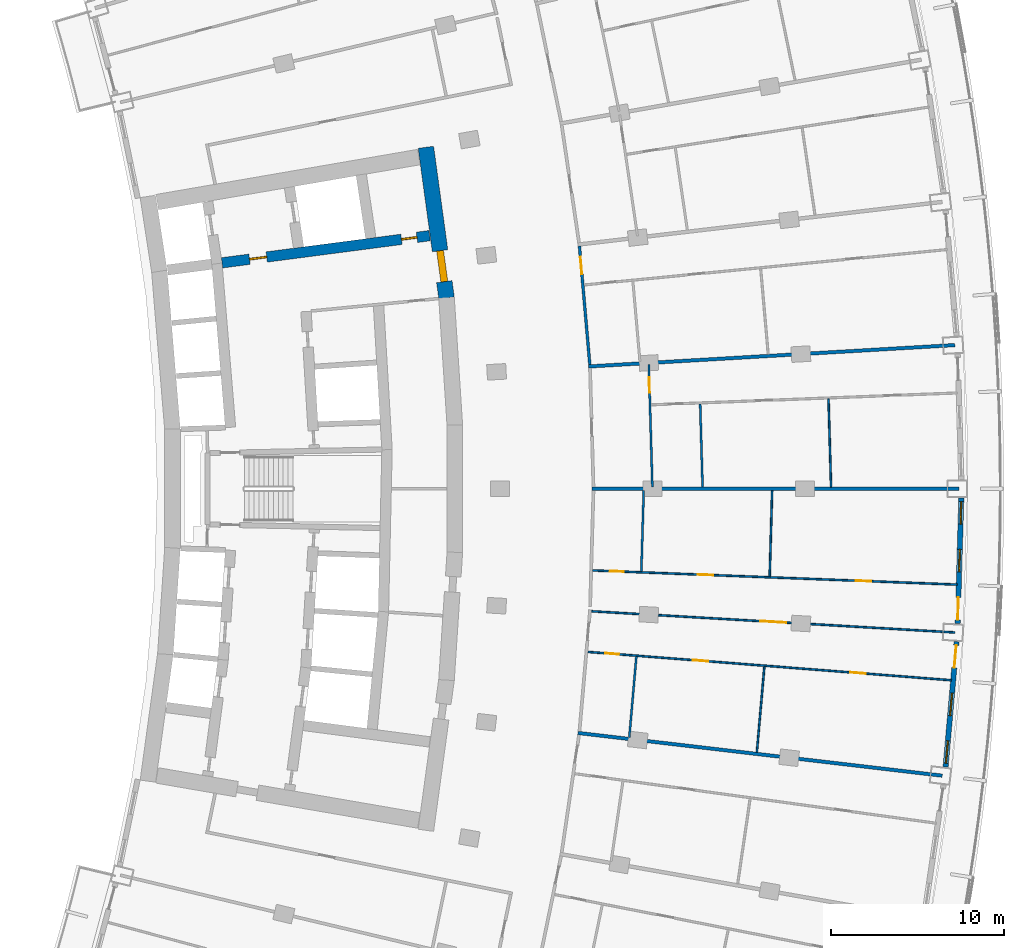
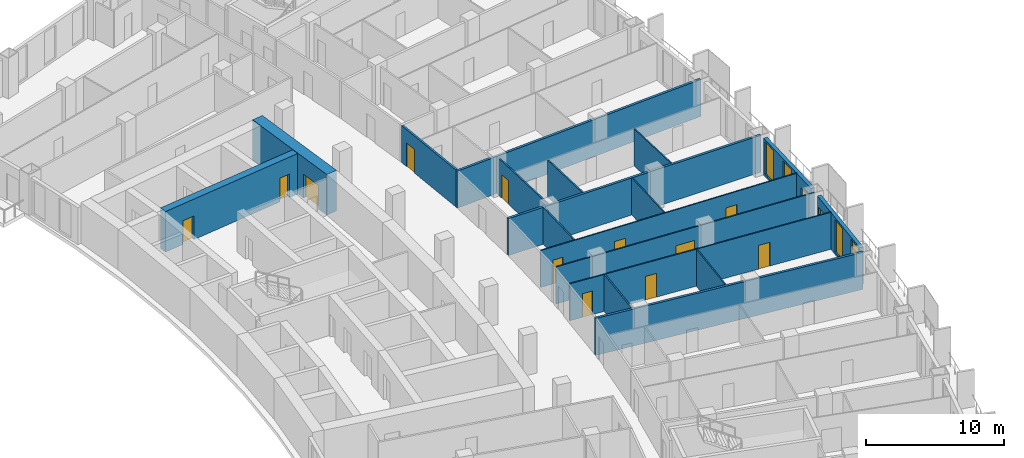
# One storey, part 17 of 25: 18 walls, 14 doors, 4 windows, 18 openings.
"""IFC4 building model written with IfcOpenShell, lengths in metres."""

from ifc_helpers import new_model, si_unit, direction, frame, frame_2d, origin, place, context, subcontext, project, spatial, rectangle, extrude, material, layer, layer_set, type_object, element, fill, save


model = new_model("IFC4")

# Units and contexts
model_context = context("Model", 3, precision=1e-05, world=origin(), true_north=direction((0.0, 1.0)))
body_context = subcontext(model_context, "Body", "Model", "MODEL_VIEW")
ifc_project = project(units=[si_unit("LENGTHUNIT", "METRE"), si_unit("AREAUNIT", "SQUARE_METRE"), si_unit("VOLUMEUNIT", "CUBIC_METRE"), si_unit("PLANEANGLEUNIT", "RADIAN"), si_unit("MASSUNIT", "GRAM", prefix="KILO")], contexts=[model_context])

# Site, building, storey
site_placement = place(None, origin())
site = spatial("IfcSite", under=ifc_project, at=site_placement, CompositionType="ELEMENT")
building_placement = place(site_placement, origin())
building = spatial("IfcBuilding", under=site, at=building_placement, Name="Alderwake Tower", CompositionType="ELEMENT")
storey_placement = place(building_placement, frame((0.0, 0.0, 68.0)))
storey = spatial("IfcBuildingStorey", under=building, at=storey_placement, Name="L16", CompositionType="ELEMENT", Elevation=68.0)

# Wall, opening, door
ifc_material_1 = material(Name="Concrete C70/85", Category="concrete")
ifc_layer_1 = layer(ifc_material_1, 0.89990234375)
ifc_layer_set_1 = layer_set([ifc_layer_1], Name="Core wall outer 900 C70-85")
wall_type_1 = type_object("IfcWallType", Name="Core wall outer 900 C70-85", PredefinedType="SHEAR", material=ifc_layer_set_1)
wall_1_placement = place(storey_placement, frame((31.520263671875, 80.7177734375, 0.0), z_axis=(0.0, 0.0, 1.0), x_axis=(0.135844728876, -0.990730139663, 0.0)))
wall_1 = element("IfcWall", 1, at=wall_1_placement, inside=storey, type_object=wall_type_1, Name="Core wall CW.009", PredefinedType="SHEAR", context=body_context, shape_type="SweptSolid", body=[
    extrude(rectangle(XDim=8.78662109375, YDim=0.89990234375, at=frame_2d((4.393310546875, 0.0))), origin(), (0.0, 0.0, 1.0), 3.60009765625),
])
opening_1_placement = place(wall_1_placement, frame((6.02978515625, 0.0, 0.0)))
opening_1 = element("IfcOpeningElement", 2, at=opening_1_placement, cuts=wall_1, Name="Opening C001", PredefinedType="OPENING", context=body_context, shape_type="SweptSolid", body=[
    extrude(rectangle(XDim=1.800048828125, YDim=2.10009765625, at=frame_2d((0.89990234375, 1.050048828125))), frame((0.0, 0.4599609375, 0.0), z_axis=(0.0, -1.0, 0.0), x_axis=(1.0, 0.0, 0.0)), (0.0, 0.0, 1.0), 0.919921875),
])
ifc_material_2 = material(Name="Steel-framed fire door leaves", Category="steel")
door_type_1 = type_object("IfcDoorType", Name="Core double door 1800 fire-rated", OperationType="DOUBLE_DOOR_SINGLE_SWING", PredefinedType="DOOR", material=ifc_material_2)
door_1_placement = place(opening_1_placement, origin())
door_1 = element("IfcDoor", 3, at=door_1_placement, inside=storey, type_object=door_type_1, Name="Lobby double door", OperationType="DOUBLE_DOOR_SINGLE_SWING", OverallHeight=2.10009765625, OverallWidth=1.800048828125, PredefinedType="DOOR", context=body_context, shape_type="SweptSolid", body=[
    extrude(rectangle(XDim=1.800048828125, YDim=2.10009765625, at=frame_2d((0.89990234375, 1.050048828125))), frame((0.0, 0.199951171875, 0.0), z_axis=(0.0, -1.0, 0.0), x_axis=(1.0, 0.0, 0.0)), (0.0, 0.0, 1.0), 0.39990234375),
])
fill(opening_1, door_1)

# Wall, openings, doors
ifc_material_3 = material(Name="Concrete C70/85", Category="concrete")
ifc_layer_2 = layer(ifc_material_3, 0.60009765625)
ifc_layer_set_2 = layer_set([ifc_layer_2], Name="Core wall spine 600 C70-85")
wall_type_2 = type_object("IfcWallType", Name="Core wall spine 600 C70-85", PredefinedType="SHEAR", material=ifc_layer_set_2)
wall_2_placement = place(storey_placement, frame((31.735595703125, 75.6142578125, 0.0), z_axis=(0.0, 0.0, 1.0), x_axis=(-0.991553829991, -0.129695806526, 0.0)))
wall_2 = element("IfcWall", 4, at=wall_2_placement, inside=storey, type_object=wall_type_2, Name="Core wall CW.052", PredefinedType="SHEAR", context=body_context, shape_type="SweptSolid", body=[
    extrude(rectangle(XDim=12.0869140625, YDim=0.60009765625, at=frame_2d((6.04345703125, 0.0))), origin(), (0.0, 0.0, 1.0), 3.60009765625),
])
opening_2_placement = place(wall_2_placement, frame((9.4873046875, 0.0, 0.0)))
opening_2 = element("IfcOpeningElement", 5, at=opening_2_placement, cuts=wall_2, Name="Opening C002", PredefinedType="OPENING", context=body_context, shape_type="SweptSolid", body=[
    extrude(rectangle(XDim=1.0, YDim=2.10009765625, at=frame_2d((0.5, 1.050048828125))), frame((0.0, 0.31005859375, 0.0), z_axis=(0.0, -1.0, 0.0), x_axis=(1.0, 0.0, 0.0)), (0.0, 0.0, 1.0), 0.6201171875),
])
opening_3_placement = place(wall_2_placement, frame((0.7373046875, 0.0, 0.0)))
opening_3 = element("IfcOpeningElement", 6, at=opening_3_placement, cuts=wall_2, Name="Opening C020", PredefinedType="OPENING", context=body_context, shape_type="SweptSolid", body=[
    extrude(rectangle(XDim=0.89990234375, YDim=2.10009765625, at=frame_2d((0.449951171875, 1.050048828125))), frame((0.0, 0.31005859375, 0.0), z_axis=(0.0, -1.0, 0.0), x_axis=(1.0, 0.0, 0.0)), (0.0, 0.0, 1.0), 0.6201171875),
])
ifc_material_4 = material(Name="Painted steel leaf", Category="steel")
door_type_2 = type_object("IfcDoorType", Name="Core room door 900", OperationType="SINGLE_SWING_LEFT", PredefinedType="DOOR", material=ifc_material_4)
door_2_placement = place(opening_3_placement, origin())
door_2 = element("IfcDoor", 7, at=door_2_placement, inside=storey, type_object=door_type_2, Name="Room door", OperationType="SINGLE_SWING_LEFT", OverallHeight=2.10009765625, OverallWidth=0.89990234375, PredefinedType="DOOR", context=body_context, shape_type="SweptSolid", body=[
    extrude(rectangle(XDim=0.89990234375, YDim=2.10009765625, at=frame_2d((0.449951171875, 1.050048828125))), frame((0.0, 0.050048828125, 0.0), z_axis=(0.0, -1.0, 0.0), x_axis=(1.0, 0.0, 0.0)), (0.0, 0.0, 1.0), 0.10009765625),
])
fill(opening_3, door_2)
ifc_material_5 = material(Name="Steel-framed fire door leaf", Category="steel")
door_type_3 = type_object("IfcDoorType", Name="Firefighting lobby door 1000 fire-rated", OperationType="SINGLE_SWING_LEFT", PredefinedType="DOOR", material=ifc_material_5)
door_3_placement = place(opening_2_placement, origin())
door_3 = element("IfcDoor", 8, at=door_3_placement, inside=storey, type_object=door_type_3, Name="Firefighting lobby door", OperationType="SINGLE_SWING_RIGHT", OverallHeight=2.10009765625, OverallWidth=1.0, PredefinedType="DOOR", context=body_context, shape_type="SweptSolid", body=[
    extrude(rectangle(XDim=1.0, YDim=2.10009765625, at=frame_2d((0.5, 1.050048828125))), frame((0.0, 0.050048828125, 0.0), z_axis=(0.0, -1.0, 0.0), x_axis=(1.0, 0.0, 0.0)), (0.0, 0.0, 1.0), 0.10009765625),
])
fill(opening_2, door_3)

# Wall, opening, door
ifc_material_6 = material(Name="Gypsum board on metal studs, rated")
ifc_layer_3 = layer(ifc_material_6, 0.159912109375)
ifc_layer_set_3 = layer_set([ifc_layer_3], Name="Corridor wall 160")
wall_type_3 = type_object("IfcWallType", Name="Corridor wall 160", PredefinedType="PARTITIONING", material=ifc_layer_set_3)
wall_3_placement = place(storey_placement, frame((40.3857421875, 75.00830078125, 0.0), z_axis=(0.0, 0.0, 1.0), x_axis=(0.087448731147, -0.996169021512, 0.0)))
wall_3 = element("IfcWall", 9, at=wall_3_placement, inside=storey, type_object=wall_type_3, Name="WL/L16/W41", PredefinedType="PARTITIONING", context=body_context, shape_type="SweptSolid", body=[
    extrude(rectangle(XDim=6.867919921875, YDim=0.159912109375, at=frame_2d((3.43408203125, 0.0))), origin(), (0.0, 0.0, 1.0), 3.280029296875),
])
opening_4_placement = place(wall_3_placement, frame((0.628173828125, 0.0, 0.0)))
opening_4 = element("IfcOpeningElement", 10, at=opening_4_placement, cuts=wall_3, Name="Opening R04-U09.2", PredefinedType="OPENING", context=body_context, shape_type="SweptSolid", body=[
    extrude(rectangle(XDim=1.0, YDim=2.10009765625, at=frame_2d((0.5, 1.050048828125))), frame((0.0, 0.08984375, 0.0), z_axis=(0.0, -1.0, 0.0), x_axis=(1.0, 0.0, 0.0)), (0.0, 0.0, 1.0), 0.179931640625),
])
ifc_material_7 = material(Name="Solid timber leaf in steel frame", Category="steel")
door_type_4 = type_object("IfcDoorType", Name="Flat entrance door 1000 fire-rated", OperationType="SINGLE_SWING_LEFT", PredefinedType="DOOR", material=ifc_material_7)
door_4_placement = place(opening_4_placement, origin())
door_4 = element("IfcDoor", 11, at=door_4_placement, inside=storey, type_object=door_type_4, Name="DR/L16/U09.2", OperationType="SINGLE_SWING_LEFT", OverallHeight=2.10009765625, OverallWidth=1.0, PredefinedType="DOOR", context=body_context, shape_type="SweptSolid", body=[
    extrude(rectangle(XDim=1.0, YDim=2.10009765625, at=frame_2d((0.5, 1.050048828125))), frame((0.0, 0.02490234375, 0.0), z_axis=(0.0, -1.0, 0.0), x_axis=(1.0, 0.0, 0.0)), (0.0, 0.0, 1.0), 0.050048828125),
])
fill(opening_4, door_4)

# Wall, openings, door, windows
ifc_material_8 = material(Name="Precast concrete C50/60 spandrel panel", Category="concrete")
ifc_layer_4 = layer(ifc_material_8, 0.300048828125)
ifc_layer_set_4 = layer_set([ifc_layer_4], Name="External wall EW1 Precast concrete C50/60 spandrel")
wall_type_4 = type_object("IfcWallType", Name="External wall EW1 Precast concrete C50/60 spandrel", PredefinedType="SOLIDWALL", material=ifc_layer_set_4)
wall_4_placement = place(storey_placement, frame((61.527587890625, 44.941162109375, 0.0), z_axis=(0.0, 0.0, 1.0), x_axis=(0.087375550333, 0.996175442984, 0.0)))
wall_4 = element("IfcWall", 12, at=wall_4_placement, inside=storey, type_object=wall_type_4, Name="External wall 15", PredefinedType="SOLIDWALL", context=body_context, shape_type="SweptSolid", body=[
    extrude(rectangle(XDim=7.25927734375, YDim=0.300048828125, at=frame_2d((3.629638671875, 0.0))), origin(), (0.0, 0.0, 1.0), 3.280029296875),
])
opening_5_placement = place(wall_4_placement, frame((0.215087890625, 0.0, 0.199951171875)))
opening_5 = element("IfcOpeningElement", 13, at=opening_5_placement, cuts=wall_4, Name="Opening W1", PredefinedType="OPENING", context=body_context, shape_type="SweptSolid", body=[
    extrude(rectangle(XDim=1.300048828125, YDim=2.89990234375, at=frame_2d((0.64990234375, 1.449951171875))), frame((0.0, 0.159912109375, 0.0), z_axis=(0.0, -1.0, 0.0), x_axis=(1.0, 0.0, 0.0)), (0.0, 0.0, 1.0), 0.320068359375),
])
opening_6_placement = place(wall_4_placement, frame((2.9794921875, 0.0, 0.199951171875)))
opening_6 = element("IfcOpeningElement", 14, at=opening_6_placement, cuts=wall_4, Name="Opening W1", PredefinedType="OPENING", context=body_context, shape_type="SweptSolid", body=[
    extrude(rectangle(XDim=1.300048828125, YDim=2.89990234375, at=frame_2d((0.64990234375, 1.449951171875))), frame((0.0, 0.159912109375, 0.0), z_axis=(0.0, -1.0, 0.0), x_axis=(1.0, 0.0, 0.0)), (0.0, 0.0, 1.0), 0.320068359375),
])
opening_7_placement = place(wall_4_placement, frame((5.744140625, 0.0, 0.0)))
opening_7 = element("IfcOpeningElement", 15, at=opening_7_placement, cuts=wall_4, Name="Opening D06", PredefinedType="OPENING", context=body_context, shape_type="SweptSolid", body=[
    extrude(rectangle(XDim=1.300048828125, YDim=2.39990234375, at=frame_2d((0.64990234375, 1.199951171875))), frame((0.0, 0.159912109375, 0.0), z_axis=(0.0, -1.0, 0.0), x_axis=(1.0, 0.0, 0.0)), (0.0, 0.0, 1.0), 0.320068359375),
])
ifc_material_9 = material(Name="Bronze tinted glass in aluminium frame", Category="aluminium")
door_type_5 = type_object("IfcDoorType", Name="Balcony door BD sliding", OperationType="SLIDING_TO_LEFT", PredefinedType="DOOR", material=ifc_material_9)
door_5_placement = place(opening_7_placement, origin())
door_5 = element("IfcDoor", 16, at=door_5_placement, inside=storey, type_object=door_type_5, Name="Door D06", OperationType="SLIDING_TO_LEFT", OverallHeight=2.39990234375, OverallWidth=1.300048828125, PredefinedType="DOOR", context=body_context, shape_type="SweptSolid", body=[
    extrude(rectangle(XDim=1.300048828125, YDim=2.39990234375, at=frame_2d((0.64990234375, 1.199951171875))), frame((0.0, 0.02490234375, 0.0), z_axis=(0.0, -1.0, 0.0), x_axis=(1.0, 0.0, 0.0)), (0.0, 0.0, 1.0), 0.050048828125),
])
fill(opening_7, door_5)
ifc_material_10 = material(Name="Bronze tinted glass in aluminium frame", Category="aluminium")
window_type = type_object("IfcWindowType", Name="Window W1 tall fixed and vent", PartitioningType="DOUBLE_PANEL_VERTICAL", PredefinedType="WINDOW", material=ifc_material_10)
window_1_placement = place(opening_5_placement, origin())
window_1 = element("IfcWindow", 17, at=window_1_placement, inside=storey, type_object=window_type, Name="Window W1 tall fixed and vent", OverallHeight=2.89990234375, OverallWidth=1.300048828125, PartitioningType="DOUBLE_PANEL_VERTICAL", PredefinedType="WINDOW", context=body_context, shape_type="SweptSolid", body=[
    extrude(rectangle(XDim=1.300048828125, YDim=2.89990234375, at=frame_2d((0.64990234375, 1.449951171875))), frame((0.0, 0.030029296875, 0.0), z_axis=(0.0, -1.0, 0.0), x_axis=(1.0, 0.0, 0.0)), (0.0, 0.0, 1.0), 0.06005859375),
])
fill(opening_5, window_1)
window_2_placement = place(opening_6_placement, origin())
window_2 = element("IfcWindow", 18, at=window_2_placement, inside=storey, type_object=window_type, Name="Window W1 tall fixed and vent", OverallHeight=2.89990234375, OverallWidth=1.300048828125, PartitioningType="DOUBLE_PANEL_VERTICAL", PredefinedType="WINDOW", context=body_context, shape_type="SweptSolid", body=[
    extrude(rectangle(XDim=1.300048828125, YDim=2.89990234375, at=frame_2d((0.64990234375, 1.449951171875))), frame((0.0, 0.030029296875, 0.0), z_axis=(0.0, -1.0, 0.0), x_axis=(1.0, 0.0, 0.0)), (0.0, 0.0, 1.0), 0.06005859375),
])
fill(opening_6, window_2)

wall_5_placement = place(storey_placement, frame((62.222900390625, 53.219482421875, 0.0), z_axis=(0.0, 0.0, 1.0), x_axis=(0.029192492368, 0.999573808375, 0.0)))
wall_5 = element("IfcWall", 19, at=wall_5_placement, inside=storey, type_object=wall_type_4, Name="External wall 16", PredefinedType="SOLIDWALL", context=body_context, shape_type="SweptSolid", body=[
    extrude(rectangle(XDim=7.25927734375, YDim=0.300048828125, at=frame_2d((3.629638671875, 0.0))), origin(), (0.0, 0.0, 1.0), 3.280029296875),
])
opening_8_placement = place(wall_5_placement, frame((0.215087890625, 0.0, 0.0)))
opening_8 = element("IfcOpeningElement", 20, at=opening_8_placement, cuts=wall_5, Name="Opening D07", PredefinedType="OPENING", context=body_context, shape_type="SweptSolid", body=[
    extrude(rectangle(XDim=1.300048828125, YDim=2.39990234375, at=frame_2d((0.64990234375, 1.199951171875))), frame((0.0, 0.159912109375, 0.0), z_axis=(0.0, -1.0, 0.0), x_axis=(1.0, 0.0, 0.0)), (0.0, 0.0, 1.0), 0.320068359375),
])
opening_9_placement = place(wall_5_placement, frame((2.9794921875, 0.0, 0.199951171875)))
opening_9 = element("IfcOpeningElement", 21, at=opening_9_placement, cuts=wall_5, Name="Opening W1", PredefinedType="OPENING", context=body_context, shape_type="SweptSolid", body=[
    extrude(rectangle(XDim=1.300048828125, YDim=2.89990234375, at=frame_2d((0.64990234375, 1.449951171875))), frame((0.0, 0.159912109375, 0.0), z_axis=(0.0, -1.0, 0.0), x_axis=(1.0, 0.0, 0.0)), (0.0, 0.0, 1.0), 0.320068359375),
])
opening_10_placement = place(wall_5_placement, frame((5.744140625, 0.0, 0.199951171875)))
opening_10 = element("IfcOpeningElement", 22, at=opening_10_placement, cuts=wall_5, Name="Opening W1", PredefinedType="OPENING", context=body_context, shape_type="SweptSolid", body=[
    extrude(rectangle(XDim=1.300048828125, YDim=2.89990234375, at=frame_2d((0.64990234375, 1.449951171875))), frame((0.0, 0.159912109375, 0.0), z_axis=(0.0, -1.0, 0.0), x_axis=(1.0, 0.0, 0.0)), (0.0, 0.0, 1.0), 0.320068359375),
])
door_6_placement = place(opening_8_placement, origin())
door_6 = element("IfcDoor", 23, at=door_6_placement, inside=storey, type_object=door_type_5, Name="Door D07", OperationType="SLIDING_TO_LEFT", OverallHeight=2.39990234375, OverallWidth=1.300048828125, PredefinedType="DOOR", context=body_context, shape_type="SweptSolid", body=[
    extrude(rectangle(XDim=1.300048828125, YDim=2.39990234375, at=frame_2d((0.64990234375, 1.199951171875))), frame((0.0, 0.02490234375, 0.0), z_axis=(0.0, -1.0, 0.0), x_axis=(1.0, 0.0, 0.0)), (0.0, 0.0, 1.0), 0.050048828125),
])
fill(opening_8, door_6)
window_3_placement = place(opening_9_placement, origin())
window_3 = element("IfcWindow", 24, at=window_3_placement, inside=storey, type_object=window_type, Name="Window W1 tall fixed and vent", OverallHeight=2.89990234375, OverallWidth=1.300048828125, PartitioningType="DOUBLE_PANEL_VERTICAL", PredefinedType="WINDOW", context=body_context, shape_type="SweptSolid", body=[
    extrude(rectangle(XDim=1.300048828125, YDim=2.89990234375, at=frame_2d((0.64990234375, 1.449951171875))), frame((0.0, 0.030029296875, 0.0), z_axis=(0.0, -1.0, 0.0), x_axis=(1.0, 0.0, 0.0)), (0.0, 0.0, 1.0), 0.06005859375),
])
fill(opening_9, window_3)
window_4_placement = place(opening_10_placement, origin())
window_4 = element("IfcWindow", 25, at=window_4_placement, inside=storey, type_object=window_type, Name="Window W1 tall fixed and vent", OverallHeight=2.89990234375, OverallWidth=1.300048828125, PartitioningType="DOUBLE_PANEL_VERTICAL", PredefinedType="WINDOW", context=body_context, shape_type="SweptSolid", body=[
    extrude(rectangle(XDim=1.300048828125, YDim=2.89990234375, at=frame_2d((0.64990234375, 1.449951171875))), frame((0.0, 0.030029296875, 0.0), z_axis=(0.0, -1.0, 0.0), x_axis=(1.0, 0.0, 0.0)), (0.0, 0.0, 1.0), 0.06005859375),
])
fill(opening_10, window_4)

# Walls
ifc_material_11 = material(Name="Dense block masonry wall", Category="masonry")
ifc_layer_5 = layer(ifc_material_11, 0.199951171875)
ifc_layer_set_5 = layer_set([ifc_layer_5], Name="Party wall 200")
wall_type_5 = type_object("IfcWallType", Name="Party wall 200", PredefinedType="SOLIDWALL", material=ifc_layer_set_5)
wall_6_placement = place(storey_placement, frame((61.33203125, 44.43603515625, 0.0), z_axis=(0.0, 0.0, 1.0), x_axis=(-0.993196167424, 0.116453308301, 0.0)))
element("IfcWall", 26, at=wall_6_placement, inside=storey, type_object=wall_type_5, Name="WL/L16/W12", PredefinedType="SOLIDWALL", context=body_context, shape_type="SweptSolid", body=[
    extrude(rectangle(XDim=21.178466796875, YDim=0.199951171875, at=frame_2d((10.58935546875, 0.0))), origin(), (0.0, 0.0, 1.0), 3.280029296875),
])
wall_7_placement = place(storey_placement, frame((62.05810546875, 69.297119140625, 0.0), z_axis=(0.0, 0.0, 1.0), x_axis=(-0.998298772247, -0.058305757258, 0.0)))
element("IfcWall", 27, at=wall_7_placement, inside=storey, type_object=wall_type_5, Name="WL/L16/W13", PredefinedType="SOLIDWALL", context=body_context, shape_type="SweptSolid", body=[
    extrude(rectangle(XDim=21.17919921875, YDim=0.199951171875, at=frame_2d((10.589599609375, 0.0))), origin(), (0.0, 0.0, 1.0), 3.280029296875),
])
wall_8_placement = place(storey_placement, frame((62.301025390625, 60.9990234375, 0.0), z_axis=(0.0, 0.0, 1.0), x_axis=(-1.0, 0.0, 0.0)))
element("IfcWall", 28, at=wall_8_placement, inside=storey, type_object=wall_type_5, Name="WL/L16/W14", PredefinedType="SOLIDWALL", context=body_context, shape_type="SweptSolid", body=[
    extrude(rectangle(XDim=21.18212890625, YDim=0.199951171875, at=frame_2d((10.591064453125, 0.0))), origin(), (0.0, 0.0, 1.0), 3.280029296875),
])

# Wall, openings, doors
ifc_material_12 = material(Name="Gypsum board on metal studs")
ifc_layer_6 = layer(ifc_material_12, 0.10009765625)
ifc_layer_set_6 = layer_set([ifc_layer_6], Name="Unit partition 100")
wall_type_6 = type_object("IfcWallType", Name="Unit partition 100", PredefinedType="PARTITIONING", material=ifc_layer_set_6)
wall_9_placement = place(storey_placement, frame((61.865966796875, 49.944091796875, 0.0), z_axis=(0.0, 0.0, 1.0), x_axis=(-0.996972371394, 0.077756611796, 0.0)))
wall_9 = element("IfcWall", 29, at=wall_9_placement, inside=storey, type_object=wall_type_6, Name="WL/L16/W73", PredefinedType="PARTITIONING", context=body_context, shape_type="SweptSolid", body=[
    extrude(rectangle(XDim=21.061767578125, YDim=0.10009765625, at=frame_2d((10.53076171875, 0.0))), origin(), (0.0, 0.0, 1.0), 3.280029296875),
])
opening_11_placement = place(wall_9_placement, frame((14.086181640625, 0.0, 0.0)))
opening_11 = element("IfcOpeningElement", 30, at=opening_11_placement, cuts=wall_9, Name="Opening R04-U07.1", PredefinedType="OPENING", context=body_context, shape_type="SweptSolid", body=[
    extrude(rectangle(XDim=0.89990234375, YDim=2.10009765625, at=frame_2d((0.449951171875, 1.050048828125))), frame((0.0, 0.06005859375, 0.0), z_axis=(0.0, -1.0, 0.0), x_axis=(1.0, 0.0, 0.0)), (0.0, 0.0, 1.0), 0.1201171875),
])
opening_12_placement = place(wall_9_placement, frame((19.25244140625, 0.0, 0.0)))
opening_12 = element("IfcOpeningElement", 31, at=opening_12_placement, cuts=wall_9, Name="Opening R04-U07.3", PredefinedType="OPENING", context=body_context, shape_type="SweptSolid", body=[
    extrude(rectangle(XDim=0.800048828125, YDim=2.10009765625, at=frame_2d((0.39990234375, 1.050048828125))), frame((0.0, 0.06005859375, 0.0), z_axis=(0.0, -1.0, 0.0), x_axis=(1.0, 0.0, 0.0)), (0.0, 0.0, 1.0), 0.1201171875),
])
opening_13_placement = place(wall_9_placement, frame((4.964599609375, 0.0, 0.0)))
opening_13 = element("IfcOpeningElement", 32, at=opening_13_placement, cuts=wall_9, Name="Opening R04-U07.4", PredefinedType="OPENING", context=body_context, shape_type="SweptSolid", body=[
    extrude(rectangle(XDim=0.89990234375, YDim=2.10009765625, at=frame_2d((0.449951171875, 1.050048828125))), frame((0.0, 0.06005859375, 0.0), z_axis=(0.0, -1.0, 0.0), x_axis=(1.0, 0.0, 0.0)), (0.0, 0.0, 1.0), 0.1201171875),
])
ifc_material_13 = material(Name="Painted timber leaf", Category="wood")
door_type_6 = type_object("IfcDoorType", Name="Bathroom door 800", OperationType="SINGLE_SWING_LEFT", PredefinedType="DOOR", material=ifc_material_13)
door_7_placement = place(opening_12_placement, origin())
door_7 = element("IfcDoor", 33, at=door_7_placement, inside=storey, type_object=door_type_6, Name="DR/L16/U07.3", OperationType="SINGLE_SWING_LEFT", OverallHeight=2.10009765625, OverallWidth=0.800048828125, PredefinedType="DOOR", context=body_context, shape_type="SweptSolid", body=[
    extrude(rectangle(XDim=0.800048828125, YDim=2.10009765625, at=frame_2d((0.39990234375, 1.050048828125))), frame((0.0, 0.02490234375, 0.0), z_axis=(0.0, -1.0, 0.0), x_axis=(1.0, 0.0, 0.0)), (0.0, 0.0, 1.0), 0.050048828125),
])
fill(opening_12, door_7)
ifc_material_14 = material(Name="Painted timber leaf", Category="wood")
door_type_7 = type_object("IfcDoorType", Name="Room door 900", OperationType="SINGLE_SWING_LEFT", PredefinedType="DOOR", material=ifc_material_14)
door_8_placement = place(opening_11_placement, origin())
door_8 = element("IfcDoor", 34, at=door_8_placement, inside=storey, type_object=door_type_7, Name="DR/L16/U07.1", OperationType="SINGLE_SWING_LEFT", OverallHeight=2.10009765625, OverallWidth=0.89990234375, PredefinedType="DOOR", context=body_context, shape_type="SweptSolid", body=[
    extrude(rectangle(XDim=0.89990234375, YDim=2.10009765625, at=frame_2d((0.449951171875, 1.050048828125))), frame((0.0, 0.02490234375, 0.0), z_axis=(0.0, -1.0, 0.0), x_axis=(1.0, 0.0, 0.0)), (0.0, 0.0, 1.0), 0.050048828125),
])
fill(opening_11, door_8)
door_9_placement = place(opening_13_placement, origin())
door_9 = element("IfcDoor", 35, at=door_9_placement, inside=storey, type_object=door_type_7, Name="DR/L16/U07.4", OperationType="SINGLE_SWING_LEFT", OverallHeight=2.10009765625, OverallWidth=0.89990234375, PredefinedType="DOOR", context=body_context, shape_type="SweptSolid", body=[
    extrude(rectangle(XDim=0.89990234375, YDim=2.10009765625, at=frame_2d((0.449951171875, 1.050048828125))), frame((0.0, 0.02490234375, 0.0), z_axis=(0.0, -1.0, 0.0), x_axis=(1.0, 0.0, 0.0)), (0.0, 0.0, 1.0), 0.050048828125),
])
fill(opening_13, door_9)

wall_10_placement = place(storey_placement, frame((41.143798828125, 56.285888671875, 0.0), z_axis=(0.0, 0.0, 1.0), x_axis=(0.999243970952, -0.038877840944, 0.0)))
wall_10 = element("IfcWall", 36, at=wall_10_placement, inside=storey, type_object=wall_type_6, Name="WL/L16/W74", PredefinedType="PARTITIONING", context=body_context, shape_type="SweptSolid", body=[
    extrude(rectangle(XDim=21.06201171875, YDim=0.10009765625, at=frame_2d((10.531005859375, 0.0))), origin(), (0.0, 0.0, 1.0), 3.280029296875),
])
opening_14_placement = place(wall_10_placement, frame((6.074462890625, 0.0, 0.0)))
opening_14 = element("IfcOpeningElement", 37, at=opening_14_placement, cuts=wall_10, Name="Opening R04-U07.5", PredefinedType="OPENING", context=body_context, shape_type="SweptSolid", body=[
    extrude(rectangle(XDim=0.89990234375, YDim=2.10009765625, at=frame_2d((0.449951171875, 1.050048828125))), frame((0.0, 0.06005859375, 0.0), z_axis=(0.0, -1.0, 0.0), x_axis=(1.0, 0.0, 0.0)), (0.0, 0.0, 1.0), 0.1201171875),
])
opening_15_placement = place(wall_10_placement, frame((1.0087890625, 0.0, 0.0)))
opening_15 = element("IfcOpeningElement", 38, at=opening_15_placement, cuts=wall_10, Name="Opening R04-U07.6", PredefinedType="OPENING", context=body_context, shape_type="SweptSolid", body=[
    extrude(rectangle(XDim=0.800048828125, YDim=2.10009765625, at=frame_2d((0.39990234375, 1.050048828125))), frame((0.0, 0.06005859375, 0.0), z_axis=(0.0, -1.0, 0.0), x_axis=(1.0, 0.0, 0.0)), (0.0, 0.0, 1.0), 0.1201171875),
])
opening_16_placement = place(wall_10_placement, frame((15.196044921875, 0.0, 0.0)))
opening_16 = element("IfcOpeningElement", 39, at=opening_16_placement, cuts=wall_10, Name="Opening R04-U07.7", PredefinedType="OPENING", context=body_context, shape_type="SweptSolid", body=[
    extrude(rectangle(XDim=0.89990234375, YDim=2.10009765625, at=frame_2d((0.449951171875, 1.050048828125))), frame((0.0, 0.06005859375, 0.0), z_axis=(0.0, -1.0, 0.0), x_axis=(1.0, 0.0, 0.0)), (0.0, 0.0, 1.0), 0.1201171875),
])
door_10_placement = place(opening_15_placement, origin())
door_10 = element("IfcDoor", 40, at=door_10_placement, inside=storey, type_object=door_type_6, Name="DR/L16/U07.6", OperationType="SINGLE_SWING_LEFT", OverallHeight=2.10009765625, OverallWidth=0.800048828125, PredefinedType="DOOR", context=body_context, shape_type="SweptSolid", body=[
    extrude(rectangle(XDim=0.800048828125, YDim=2.10009765625, at=frame_2d((0.39990234375, 1.050048828125))), frame((0.0, 0.02490234375, 0.0), z_axis=(0.0, -1.0, 0.0), x_axis=(1.0, 0.0, 0.0)), (0.0, 0.0, 1.0), 0.050048828125),
])
fill(opening_15, door_10)
door_11_placement = place(opening_14_placement, origin())
door_11 = element("IfcDoor", 41, at=door_11_placement, inside=storey, type_object=door_type_7, Name="DR/L16/U07.5", OperationType="SINGLE_SWING_LEFT", OverallHeight=2.10009765625, OverallWidth=0.89990234375, PredefinedType="DOOR", context=body_context, shape_type="SweptSolid", body=[
    extrude(rectangle(XDim=0.89990234375, YDim=2.10009765625, at=frame_2d((0.449951171875, 1.050048828125))), frame((0.0, 0.02490234375, 0.0), z_axis=(0.0, -1.0, 0.0), x_axis=(1.0, 0.0, 0.0)), (0.0, 0.0, 1.0), 0.050048828125),
])
fill(opening_14, door_11)
door_12_placement = place(opening_16_placement, origin())
door_12 = element("IfcDoor", 42, at=door_12_placement, inside=storey, type_object=door_type_7, Name="DR/L16/U07.7", OperationType="SINGLE_SWING_LEFT", OverallHeight=2.10009765625, OverallWidth=0.89990234375, PredefinedType="DOOR", context=body_context, shape_type="SweptSolid", body=[
    extrude(rectangle(XDim=0.89990234375, YDim=2.10009765625, at=frame_2d((0.449951171875, 1.050048828125))), frame((0.0, 0.02490234375, 0.0), z_axis=(0.0, -1.0, 0.0), x_axis=(1.0, 0.0, 0.0)), (0.0, 0.0, 1.0), 0.050048828125),
])
fill(opening_16, door_12)

# Walls
wall_11_placement = place(storey_placement, frame((50.630615234375, 45.789794921875, 0.0), z_axis=(0.0, 0.0, 1.0), x_axis=(0.087457395214, 0.996168260899, 0.0)))
element("IfcWall", 43, at=wall_11_placement, inside=storey, type_object=wall_type_6, Name="WL/L16/W83", PredefinedType="PARTITIONING", context=body_context, shape_type="SweptSolid", body=[
    extrude(rectangle(XDim=4.96337890625, YDim=0.10009765625, at=frame_2d((2.481689453125, 0.0))), origin(), (0.0, 0.0, 1.0), 3.280029296875),
])
wall_12_placement = place(storey_placement, frame((51.370361328125, 55.93701171875, 0.0), z_axis=(0.0, 0.0, 1.0), x_axis=(0.028771787727, 0.99958600642, 0.0)))
element("IfcWall", 44, at=wall_12_placement, inside=storey, type_object=wall_type_6, Name="WL/L16/W85", PredefinedType="PARTITIONING", context=body_context, shape_type="SweptSolid", body=[
    extrude(rectangle(XDim=4.9638671875, YDim=0.10009765625, at=frame_2d((2.48193359375, 0.0))), origin(), (0.0, 0.0, 1.0), 3.280029296875),
])
wall_13_placement = place(storey_placement, frame((54.9150390625, 61.09912109375, 0.0), z_axis=(0.0, 0.0, 1.0), x_axis=(-0.029127343926, 0.999575708906, 0.0)))
element("IfcWall", 45, at=wall_13_placement, inside=storey, type_object=wall_type_6, Name="WL/L16/W89", PredefinedType="PARTITIONING", context=body_context, shape_type="SweptSolid", body=[
    extrude(rectangle(XDim=5.09619140625, YDim=0.10009765625, at=frame_2d((2.548095703125, 0.0))), origin(), (0.0, 0.0, 1.0), 3.280029296875),
])

# Wall, opening, door
wall_14_placement = place(storey_placement, frame((41.074951171875, 53.92919921875, 0.0), z_axis=(0.0, 0.0, 1.0), x_axis=(0.998299951576, -0.058285561532, 0.0)))
wall_14 = element("IfcWall", 46, at=wall_14_placement, inside=storey, type_object=wall_type_6, Name="WL/L16/W90", PredefinedType="PARTITIONING", context=body_context, shape_type="SweptSolid", body=[
    extrude(rectangle(XDim=21.018798828125, YDim=0.10009765625, at=frame_2d((10.50927734375, 0.0))), origin(), (0.0, 0.0, 1.0), 3.280029296875),
])
opening_17_placement = place(wall_14_placement, frame((9.759521484375, 0.0, 0.0)))
opening_17 = element("IfcOpeningElement", 47, at=opening_17_placement, cuts=wall_14, Name="Opening R04-U07.8", PredefinedType="OPENING", context=body_context, shape_type="SweptSolid", body=[
    extrude(rectangle(XDim=1.5, YDim=2.10009765625, at=frame_2d((0.75, 1.050048828125))), frame((0.0, 0.06005859375, 0.0), z_axis=(0.0, -1.0, 0.0), x_axis=(1.0, 0.0, 0.0)), (0.0, 0.0, 1.0), 0.1201171875),
])
ifc_material_15 = material(Name="Painted timber leaves", Category="wood")
door_type_8 = type_object("IfcDoorType", Name="Double leaf door 1500", OperationType="DOUBLE_DOOR_SINGLE_SWING", PredefinedType="DOOR", material=ifc_material_15)
door_13_placement = place(opening_17_placement, origin())
door_13 = element("IfcDoor", 48, at=door_13_placement, inside=storey, type_object=door_type_8, Name="DR/L16/U07.8", OperationType="DOUBLE_DOOR_SINGLE_SWING", OverallHeight=2.10009765625, OverallWidth=1.5, PredefinedType="DOOR", context=body_context, shape_type="SweptSolid", body=[
    extrude(rectangle(XDim=1.5, YDim=2.10009765625, at=frame_2d((0.75, 1.050048828125))), frame((0.0, 0.02490234375, 0.0), z_axis=(0.0, -1.0, 0.0), x_axis=(1.0, 0.0, 0.0)), (0.0, 0.0, 1.0), 0.050048828125),
])
fill(opening_17, door_13)

# Walls
ifc_material_16 = material(Name="Moisture resistant gypsum board on metal studs")
ifc_layer_7 = layer(ifc_material_16, 0.1201171875)
ifc_layer_set_7 = layer_set([ifc_layer_7], Name="Wet room partition 120")
wall_type_7 = type_object("IfcWallType", Name="Wet room partition 120", PredefinedType="PARTITIONING", material=ifc_layer_set_7)
wall_15_placement = place(storey_placement, frame((43.265625, 46.65380859375, 0.0), z_axis=(0.0, 0.0, 1.0), x_axis=(0.087069112872, 0.996202273428, 0.0)))
element("IfcWall", 49, at=wall_15_placement, inside=storey, type_object=wall_type_7, Name="WL/L16/W58", PredefinedType="PARTITIONING", context=body_context, shape_type="SweptSolid", body=[
    extrude(rectangle(XDim=4.67431640625, YDim=0.1201171875, at=frame_2d((2.337158203125, 0.0))), origin(), (0.0, 0.0, 1.0), 3.280029296875),
])
wall_16_placement = place(storey_placement, frame((43.96044921875, 56.22802734375, 0.0), z_axis=(0.0, 0.0, 1.0), x_axis=(0.029257801765, 0.999571898883, 0.0)))
element("IfcWall", 50, at=wall_16_placement, inside=storey, type_object=wall_type_7, Name="WL/L16/W60", PredefinedType="PARTITIONING", context=body_context, shape_type="SweptSolid", body=[
    extrude(rectangle(XDim=4.6728515625, YDim=0.1201171875, at=frame_2d((2.33642578125, 0.0))), origin(), (0.0, 0.0, 1.0), 3.280029296875),
])

# Wall, opening, door
wall_17_placement = place(storey_placement, frame((44.390869140625, 68.1650390625, 0.0), z_axis=(0.0, 0.0, 1.0), x_axis=(0.029321917873, -0.999570020125, 0.0)))
wall_17 = element("IfcWall", 51, at=wall_17_placement, inside=storey, type_object=wall_type_7, Name="WL/L16/W61", PredefinedType="PARTITIONING", context=body_context, shape_type="SweptSolid", body=[
    extrude(rectangle(XDim=7.06884765625, YDim=0.1201171875, at=frame_2d((3.534423828125, 0.0))), origin(), (0.0, 0.0, 1.0), 3.280029296875),
])
opening_18_placement = place(wall_17_placement, frame((0.711669921875, 0.0, 0.0)))
opening_18 = element("IfcOpeningElement", 52, at=opening_18_placement, cuts=wall_17, Name="Opening R04-U08.3", PredefinedType="OPENING", context=body_context, shape_type="SweptSolid", body=[
    extrude(rectangle(XDim=0.89990234375, YDim=2.10009765625, at=frame_2d((0.449951171875, 1.050048828125))), frame((0.0, 0.070068359375, 0.0), z_axis=(0.0, -1.0, 0.0), x_axis=(1.0, 0.0, 0.0)), (0.0, 0.0, 1.0), 0.14013671875),
])
door_14_placement = place(opening_18_placement, origin())
door_14 = element("IfcDoor", 53, at=door_14_placement, inside=storey, type_object=door_type_7, Name="DR/L16/U08.3", OperationType="SINGLE_SWING_LEFT", OverallHeight=2.10009765625, OverallWidth=0.89990234375, PredefinedType="DOOR", context=body_context, shape_type="SweptSolid", body=[
    extrude(rectangle(XDim=0.89990234375, YDim=2.10009765625, at=frame_2d((0.449951171875, 1.050048828125))), frame((0.0, 0.02490234375, 0.0), z_axis=(0.0, -1.0, 0.0), x_axis=(1.0, 0.0, 0.0)), (0.0, 0.0, 1.0), 0.050048828125),
])
fill(opening_18, door_14)

# Wall
wall_18_placement = place(storey_placement, frame((47.49609375, 61.09912109375, 0.0), z_axis=(0.0, 0.0, 1.0), x_axis=(-0.029045398498, 0.99957809341, 0.0)))
element("IfcWall", 54, at=wall_18_placement, inside=storey, type_object=wall_type_7, Name="WL/L16/W66", PredefinedType="PARTITIONING", context=body_context, shape_type="SweptSolid", body=[
    extrude(rectangle(XDim=4.807861328125, YDim=0.1201171875, at=frame_2d((2.40380859375, 0.0))), origin(), (0.0, 0.0, 1.0), 3.280029296875),
])

save(model, "model.ifc")
